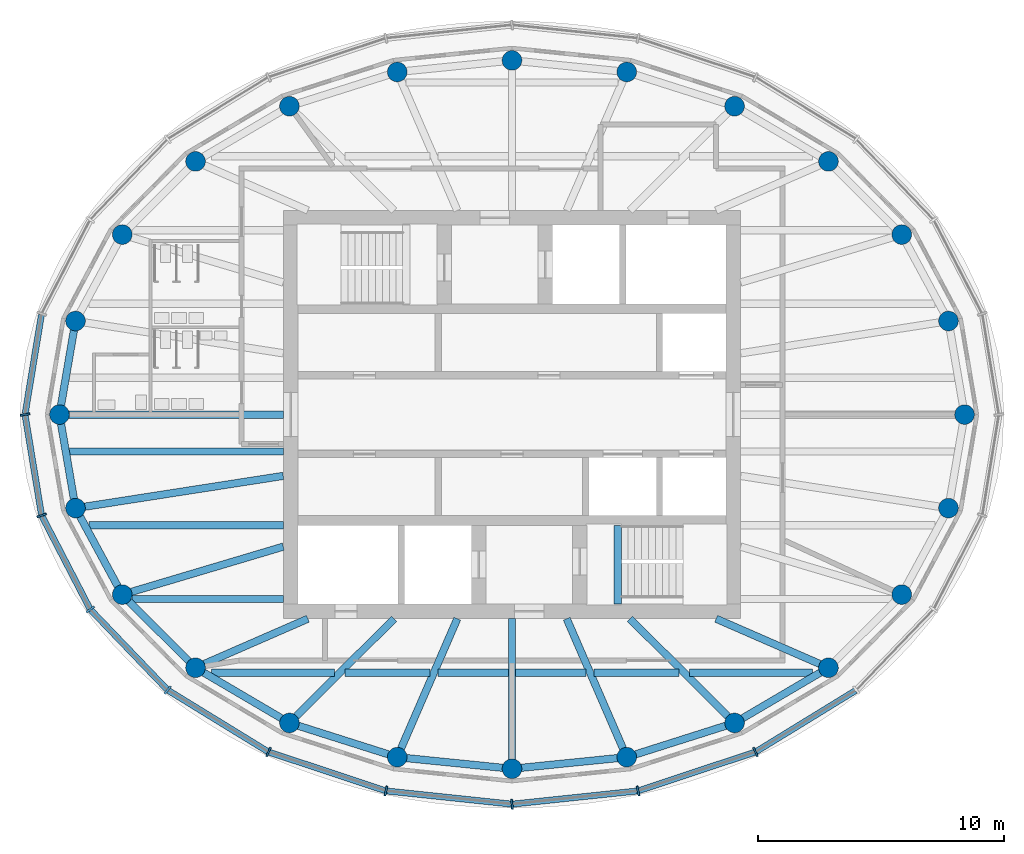
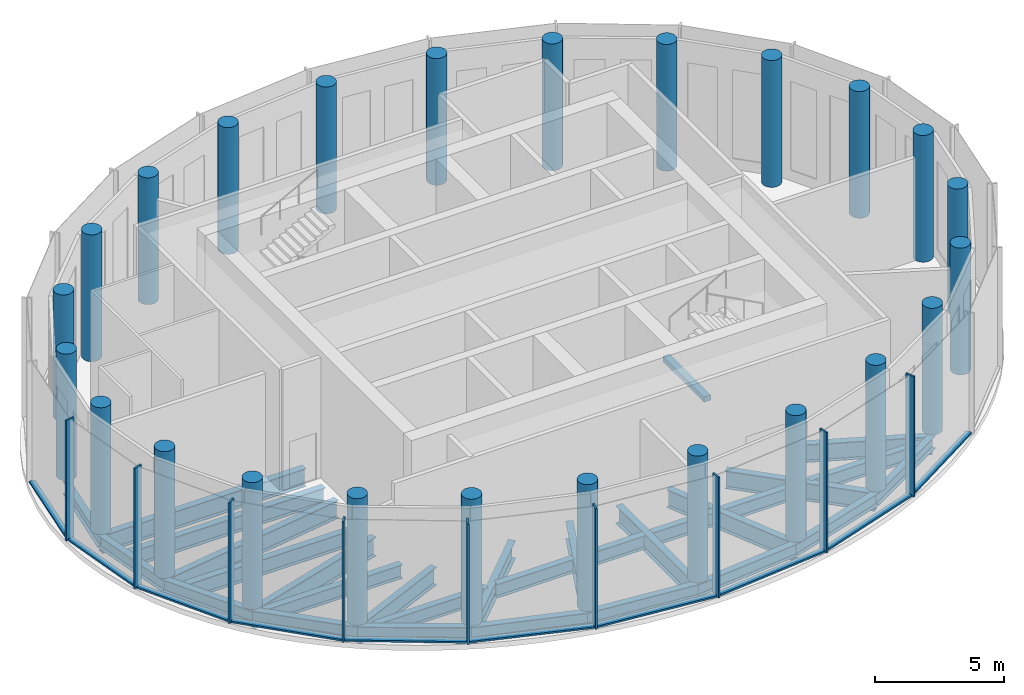
# One storey, part 1 of 11: 30 beams, 24 columns, 19 members, 3 elements without a shape of their own.
"""IFC4 building model written with IfcOpenShell, lengths in metres."""

import ifcopenshell
import ifcopenshell.guid

model = None  # the IFC model being written
_history = None  # IfcOwnerHistory: only IFC2X3 demands one
_inside = {}  # id of a spatial element -> (the spatial element, [elements in it])
_under = {}  # id of a project, library or spatial element -> (it, [spatial elements below it])
_declared = {}  # id of a project -> (the project, [libraries it declares])
_typed = {}  # id of a type object -> (the type object, [elements of that type])
_made_of = {}  # id of a material, layer set ... -> (it, [elements and type objects made of it])


def new_model(schema):
    """Start an empty IFC model of exactly this schema.

    Asked for "IFC4X3", IfcOpenShell would pick the latest addendum, in which some entities
    have other attributes; the version numbers below select the first issue.
    IFC2X3 requires an IfcOwnerHistory on every rooted entity: one is made here for all.
    """
    global model, _history
    if schema == "IFC4X3":
        model = ifcopenshell.file(schema_version=(4, 3, 0, 0))
    else:
        model = ifcopenshell.file(schema=schema)
    _inside.clear()
    _under.clear()
    _declared.clear()
    _typed.clear()
    _made_of.clear()
    _history = None
    if model.schema == "IFC2X3":
        org = make("IfcOrganization", Name="unknown")
        user = make(
            "IfcPersonAndOrganization",
            ThePerson=make("IfcPerson", FamilyName="unknown"),
            TheOrganization=org,
        )
        app = make(
            "IfcApplication",
            ApplicationDeveloper=org,
            Version="unknown",
            ApplicationFullName="unknown",
            ApplicationIdentifier="unknown",
        )
        _history = make(
            "IfcOwnerHistory",
            OwningUser=user,
            OwningApplication=app,
            ChangeAction="ADDED",
            CreationDate=0,
        )
    return model


def make(cls, **values):
    """One entity of the class cls with the attributes given. An attribute that is None is left unset."""
    return model.create_entity(
        cls, **{name: value for name, value in values.items() if value is not None}
    )


def rooted(cls, **values):
    """An entity with a GlobalId (a new one), such as an element, a storey or a relation."""
    return make(cls, GlobalId=ifcopenshell.guid.new(), OwnerHistory=_history, **values)


def si_unit(unit_type, name, prefix=None):
    """IfcSIUnit, for example si_unit("LENGTHUNIT", "METRE", prefix="MILLI")."""
    return make("IfcSIUnit", UnitType=unit_type, Prefix=prefix, Name=name)


def assignment(units):
    """IfcUnitAssignment: the units of a project."""
    return None if units is None else make("IfcUnitAssignment", Units=units)


def point(xyz):
    """IfcCartesianPoint."""
    return None if xyz is None else make("IfcCartesianPoint", Coordinates=xyz)


def direction(xyz):
    """IfcDirection."""
    return None if xyz is None else make("IfcDirection", DirectionRatios=xyz)


def frame(location, z_axis=None, x_axis=None):
    """IfcAxis2Placement3D, a coordinate frame: its origin and axes. An axis left out is left unset."""
    return make(
        "IfcAxis2Placement3D",
        Location=point(location),
        Axis=direction(z_axis),
        RefDirection=direction(x_axis),
    )


def frame_2d(location, x_axis=None):
    """IfcAxis2Placement2D, a coordinate frame in the plane: its origin and x axis."""
    return make(
        "IfcAxis2Placement2D", Location=point(location), RefDirection=direction(x_axis)
    )


def origin():
    """The frame at (0, 0, 0) with its axes left unset."""
    return frame((0.0, 0.0, 0.0))


def origin_2d():
    """The frame at (0, 0) in the plane with its x axis left unset."""
    return frame_2d((0.0, 0.0))


def place(relative_to, where):
    """IfcLocalPlacement: puts the frame where relative to a parent placement (None: the world)."""
    return make(
        "IfcLocalPlacement", PlacementRelTo=relative_to, RelativePlacement=where
    )


def context(
    kind, dimensions, precision=None, world=None, true_north=None, identifier=None
):
    """IfcGeometricRepresentationContext, for example the 3D "Model" context."""
    return make(
        "IfcGeometricRepresentationContext",
        ContextIdentifier=identifier,
        ContextType=kind,
        CoordinateSpaceDimension=dimensions,
        Precision=precision,
        WorldCoordinateSystem=world,
        TrueNorth=true_north,
    )


def subcontext(parent, identifier, kind, view, scale=None):
    """IfcGeometricRepresentationSubContext, for example "Body" below "Model"."""
    return make(
        "IfcGeometricRepresentationSubContext",
        ContextIdentifier=identifier,
        ContextType=kind,
        ParentContext=parent,
        TargetScale=scale,
        TargetView=view,
    )


def project(units=None, contexts=None):
    """IfcProject with its units and contexts."""
    return rooted(
        "IfcProject",
        Name="project",
        RepresentationContexts=contexts,
        UnitsInContext=assignment(units),
    )


def spatial(cls, under=None, at=None, **own):
    """A site, building, storey or space (cls), placed at a placement, below another one or the project."""
    s = rooted(cls, ObjectPlacement=at, **own)
    if under is not None:
        _under.setdefault(under.id(), (under, []))[1].append(s)
    return s


def profile(cls, at=None, kind="AREA", **sizes):
    """A parametric profile (cls). Its sizes go by their IFC names, for example OverallWidth=200.0."""
    return make(cls, ProfileType=kind, Position=at, **sizes)


def rectangle(**sizes):
    """IfcRectangleProfileDef."""
    return profile("IfcRectangleProfileDef", **sizes)


def circle(**sizes):
    """IfcCircleProfileDef."""
    return profile("IfcCircleProfileDef", **sizes)


def i_section(**sizes):
    """IfcIShapeProfileDef."""
    return profile("IfcIShapeProfileDef", **sizes)


def extrude(swept, where, along, depth):
    """IfcExtrudedAreaSolid: the profile swept, set in the frame where, extruded along a direction by depth."""
    return make(
        "IfcExtrudedAreaSolid",
        SweptArea=swept,
        Position=where,
        ExtrudedDirection=direction(along),
        Depth=depth,
    )


def shape(context_of_items, identifier, shape_type, items):
    """IfcShapeRepresentation: the items that make up one representation, for example the "Body"."""
    return make(
        "IfcShapeRepresentation",
        ContextOfItems=context_of_items,
        RepresentationIdentifier=identifier,
        RepresentationType=shape_type,
        Items=items,
    )


def material(Name=None, Category=None):
    """IfcMaterial."""
    return make("IfcMaterial", Name=Name, Category=Category)


def material_profile(
    of_material, cross_section, Name=None, Category=None, Priority=None
):
    """IfcMaterialProfile: a cross section and its material."""
    return make(
        "IfcMaterialProfile",
        Name=Name,
        Material=of_material,
        Profile=cross_section,
        Priority=Priority,
        Category=Category,
    )


def profile_set(profiles, Name=None, composite=None):
    """IfcMaterialProfileSet."""
    return make(
        "IfcMaterialProfileSet",
        Name=Name,
        MaterialProfiles=profiles,
        CompositeProfile=composite,
    )


def made_of(thing, what):
    """Note that an element or type object is made of a material, layer set ...; save() writes the relation."""
    if what is not None:
        _made_of.setdefault(what.id(), (what, []))[1].append(thing)
    return thing


def type_object(cls, material=None, **own):
    """A type object (cls), such as IfcWallType, which elements share."""
    return made_of(rooted(cls, **own), material)


def element(
    cls,
    number,
    at=None,
    inside=None,
    cuts=None,
    type_object=None,
    material=None,
    context=None,
    identifier="Body",
    shape_type=None,
    held_by="IfcProductDefinitionShape",
    body=None,
    shapes=None,
    **own,
):
    """One element of the class cls, such as IfcWall. Its Tag is "e" and its number.

    at: its placement. inside: the storey or other place that contains it. cuts: it is an
    opening in that element (IfcRelVoidsElement). A single representation is given by context,
    identifier, shape_type and body (its items); several are given by shapes. held_by: the class
    of the entity that holds the representations. save() writes the other relations.
    """
    e = rooted(cls, Tag="e%d" % number, ObjectPlacement=at, **own)
    if body is not None:
        shapes = [shape(context, identifier, shape_type, body)]
    if shapes is not None:
        e.Representation = make(held_by, Representations=shapes)
    if inside is not None:
        _inside.setdefault(inside.id(), (inside, []))[1].append(e)
    if cuts is not None:
        rooted(
            "IfcRelVoidsElement", RelatingBuildingElement=cuts, RelatedOpeningElement=e
        )
    if type_object is not None:
        _typed.setdefault(type_object.id(), (type_object, []))[1].append(e)
    return made_of(e, material)


def aggregate(whole, parts):
    """IfcRelAggregates: a whole, such as a stair, and the parts it consists of."""
    return rooted("IfcRelAggregates", RelatingObject=whole, RelatedObjects=parts)


def save(model, path):
    """Write the relations noted so far, then the file.

    IfcRelAggregates (storeys below a building ...), IfcRelContainedInSpatialStructure (elements
    in a storey), IfcRelDefinesByType, IfcRelAssociatesMaterial and IfcRelDeclares: one each for
    every whole, place, type object, material and project.
    """
    for whole, parts in _under.values():
        aggregate(whole, parts)
    for where, things in _inside.values():
        rooted(
            "IfcRelContainedInSpatialStructure",
            RelatedElements=things,
            RelatingStructure=where,
        )
    for kind, things in _typed.values():
        rooted("IfcRelDefinesByType", RelatedObjects=things, RelatingType=kind)
    for what, things in _made_of.values():
        rooted("IfcRelAssociatesMaterial", RelatedObjects=things, RelatingMaterial=what)
    for by, libraries in _declared.values():
        rooted("IfcRelDeclares", RelatingContext=by, RelatedDefinitions=libraries)
    model.write(path)


model = new_model("IFC4")

# Units and contexts
model_context = context("Model", 3, precision=1e-05, world=origin(), true_north=direction((0.0, 1.0)))
body_context = subcontext(model_context, "Body", "Model", "MODEL_VIEW")
ifc_project = project(units=[si_unit("LENGTHUNIT", "METRE"), si_unit("AREAUNIT", "SQUARE_METRE"), si_unit("VOLUMEUNIT", "CUBIC_METRE"), si_unit("PLANEANGLEUNIT", "RADIAN"), si_unit("MASSUNIT", "GRAM", prefix="KILO")], contexts=[model_context])

# Site, building, storey
site_placement = place(None, origin())
site = spatial("IfcSite", under=ifc_project, at=site_placement, CompositionType="ELEMENT")
building_placement = place(site_placement, origin())
building = spatial("IfcBuilding", under=site, at=building_placement, Name="Hankou Lantern Tower", CompositionType="ELEMENT")
storey_placement = place(building_placement, frame((0.0, 0.0, 242.699951171875)))
storey = spatial("IfcBuildingStorey", under=building, at=storey_placement, Name="L65", CompositionType="ELEMENT", Elevation=242.699951171875)

# Columns
ifc_material_1 = material(Name="Concrete C50", Category="concrete")
ifc_material_profile_1 = material_profile(ifc_material_1, circle(Radius=0.39990234375, at=origin_2d()), Name="RC D800")
ifc_profile_set_1 = profile_set([ifc_material_profile_1], Name="Concrete C50")
column_type = type_object("IfcColumnType", Name="TC6 PERIMETER COLUMN RC D800", PredefinedType="COLUMN", material=ifc_profile_set_1)
for number, where, z_axis, x_axis, name in (
    (1, (18.39990234375, 0.0, 0.0), (0.0, 0.0, 1.0), (1.0, 0.0, 0.0), "Column R01 L65"),
    (2, (17.746337890625, 3.80419921875, 0.0), (0.0, 0.0, 1.0), (1.0, 0.0, 0.0), "Column R02 L65"),
    (3, (15.84619140625, 7.319091796875, 0.0), (0.0, 0.0, 1.0), (1.0, 0.0, 0.0), "Column R03 L65"),
    (4, (12.866943359375, 10.293701171875, 0.0), (0.0, 0.0, 1.0), (1.0, 0.0, 0.0), "Column R04 L65"),
    (5, (9.048828125, 12.538330078125, 0.0), (0.0, 0.0, 1.0), (1.0, 0.0, 0.0), "Column R05 L65"),
    (6, (4.66552734375, 13.929443359375, 0.0), (0.0, 0.0, 1.0), (1.0, 0.0, 0.0), "Column R06 L65"),
    (7, (0.0, 14.39990234375, 0.0), (0.0, 0.0, 1.0), (1.0, 0.0, 0.0), "Column R07 L65"),
    (8, (-4.66552734375, 13.929443359375, 0.0), (0.0, 0.0, 1.0), (1.0, 0.0, 0.0), "Column R08 L65"),
    (9, (-9.048828125, 12.538330078125, 0.0), (0.0, 0.0, 1.0), (1.0, 0.0, 0.0), "Column R09 L65"),
    (10, (-12.866943359375, 10.293701171875, 0.0), (0.0, 0.0, 1.0), (1.0, 0.0, 0.0), "Column R10 L65"),
    (11, (-15.84619140625, 7.319091796875, 0.0), (0.0, 0.0, 1.0), (1.0, 0.0, 0.0), "Column R11 L65"),
    (12, (-17.746337890625, 3.80419921875, 0.0), (0.0, 0.0, 1.0), (1.0, 0.0, 0.0), "Column R12 L65"),
    (13, (-18.39990234375, 0.0, 0.0), (0.0, 0.0, 1.0), (1.0, 0.0, 0.0), "Column R13 L65"),
    (14, (-17.746337890625, -3.80419921875, 0.0), (0.0, 0.0, 1.0), (1.0, 0.0, 0.0), "Column R14 L65"),
    (15, (-15.84619140625, -7.319091796875, 0.0), (0.0, 0.0, 1.0), (1.0, 0.0, 0.0), "Column R15 L65"),
    (16, (-12.866943359375, -10.293701171875, 0.0), (0.0, 0.0, 1.0), (1.0, 0.0, 0.0), "Column R16 L65"),
    (17, (-9.048828125, -12.538330078125, 0.0), (0.0, 0.0, 1.0), (1.0, 0.0, 0.0), "Column R17 L65"),
    (18, (-4.66552734375, -13.929443359375, 0.0), (0.0, 0.0, 1.0), (1.0, 0.0, 0.0), "Column R18 L65"),
    (19, (0.0, -14.39990234375, 0.0), (0.0, 0.0, 1.0), (1.0, 0.0, 0.0), "Column R19 L65"),
    (20, (4.66552734375, -13.929443359375, 0.0), (0.0, 0.0, 1.0), (1.0, 0.0, 0.0), "Column R20 L65"),
    (21, (9.048828125, -12.538330078125, 0.0), (0.0, 0.0, 1.0), (1.0, 0.0, 0.0), "Column R21 L65"),
    (22, (12.866943359375, -10.293701171875, 0.0), (0.0, 0.0, 1.0), (1.0, 0.0, 0.0), "Column R22 L65"),
    (23, (15.84619140625, -7.319091796875, 0.0), (0.0, 0.0, 1.0), (1.0, 0.0, 0.0), "Column R23 L65"),
    (24, (17.746337890625, -3.80419921875, 0.0), (0.0, 0.0, 1.0), (1.0, 0.0, 0.0), "Column R24 L65"),
):
    element("IfcColumn", number, at=place(storey_placement, frame(where, z_axis=z_axis, x_axis=x_axis)), inside=storey, type_object=column_type, Name=name, PredefinedType="COLUMN", context=body_context, shape_type="SweptSolid", body=[
        extrude(circle(Radius=0.39990234375, at=origin_2d()), origin(), (0.0, 0.0, 1.0), 6.0),
    ])

# Beams
ifc_material_2 = material(Name="Steel Q355B", Category="steel")
ifc_material_profile_2 = material_profile(ifc_material_2, i_section(OverallWidth=0.300048828125, OverallDepth=0.587890625, WebThickness=0.011962890625, FlangeThickness=0.02001953125, FilletRadius=0.01806640625, at=origin_2d()), Name="HM588x300x12x20")
ifc_profile_set_2 = profile_set([ifc_material_profile_2], Name="Steel Q355B")
beam_type_1 = type_object("IfcBeamType", Name="EB16 RING BEAM HM588x300x12x20", PredefinedType="SPANDREL", material=ifc_profile_set_2)
for number, where, z_axis, x_axis, name in (
    (25, (-17.746337890625, 3.80419921875, -0.5439453125), (-0.169320180804, -0.98556109723, 0.0), (0.98556109723, -0.169320180804, 0.0), "Ring beam R12-R13 L65"),
    (26, (-18.39990234375, 0.0, -0.5439453125), (0.169320180804, -0.98556109723, 0.0), (0.98556109723, 0.169320180804, 0.0), "Ring beam R13-R14 L65"),
):
    element("IfcBeam", number, at=place(storey_placement, frame(where, z_axis=z_axis, x_axis=x_axis)), inside=storey, type_object=beam_type_1, Name=name, PredefinedType="SPANDREL", context=body_context, shape_type="SweptSolid", body=[
        extrude(i_section(OverallWidth=0.300048828125, OverallDepth=0.587890625, WebThickness=0.011962890625, FlangeThickness=0.02001953125, FilletRadius=0.01806640625, at=origin_2d()), origin(), (0.0, 0.0, 1.0), 3.85986328125),
    ])
beam_1_placement = place(storey_placement, frame((-17.746337890625, -3.80419921875, -0.5439453125), z_axis=(0.475556651725, -0.879685097634, 0.0), x_axis=(0.879685097634, 0.475556651725, 0.0)))
element("IfcBeam", 27, at=beam_1_placement, inside=storey, type_object=beam_type_1, Name="Ring beam R14-R15 L65", PredefinedType="SPANDREL", context=body_context, shape_type="SweptSolid", body=[
    extrude(i_section(OverallWidth=0.300048828125, OverallDepth=0.587890625, WebThickness=0.011962890625, FlangeThickness=0.02001953125, FilletRadius=0.01806640625, at=origin_2d()), origin(), (0.0, 0.0, 1.0), 3.99560546875),
])
beam_2_placement = place(storey_placement, frame((-15.84619140625, -7.319091796875, -0.5439453125), z_axis=(0.707657475865, -0.706555657293, 0.0), x_axis=(0.706555657293, 0.707657475865, 0.0)))
element("IfcBeam", 28, at=beam_2_placement, inside=storey, type_object=beam_type_1, Name="Ring beam R15-R16 L65", PredefinedType="SPANDREL", context=body_context, shape_type="SweptSolid", body=[
    extrude(i_section(OverallWidth=0.300048828125, OverallDepth=0.587890625, WebThickness=0.011962890625, FlangeThickness=0.02001953125, FilletRadius=0.01806640625, at=origin_2d()), origin(), (0.0, 0.0, 1.0), 4.2099609375),
])
beam_3_placement = place(storey_placement, frame((-12.866943359375, -10.293701171875, -0.5439453125), z_axis=(0.862064554074, -0.506798485207, 0.0), x_axis=(0.506798485207, 0.862064554074, 0.0)))
element("IfcBeam", 29, at=beam_3_placement, inside=storey, type_object=beam_type_1, Name="Ring beam R16-R17 L65", PredefinedType="SPANDREL", context=body_context, shape_type="SweptSolid", body=[
    extrude(i_section(OverallWidth=0.300048828125, OverallDepth=0.587890625, WebThickness=0.011962890625, FlangeThickness=0.02001953125, FilletRadius=0.01806640625, at=origin_2d()), origin(), (0.0, 0.0, 1.0), 4.428955078125),
])
beam_4_placement = place(storey_placement, frame((-9.048828125, -12.538330078125, -0.5439453125), z_axis=(0.953150024165, -0.302497985836, 0.0), x_axis=(0.302497985836, 0.953150024165, 0.0)))
element("IfcBeam", 30, at=beam_4_placement, inside=storey, type_object=beam_type_1, Name="Ring beam R17-R18 L65", PredefinedType="SPANDREL", context=body_context, shape_type="SweptSolid", body=[
    extrude(i_section(OverallWidth=0.300048828125, OverallDepth=0.587890625, WebThickness=0.011962890625, FlangeThickness=0.02001953125, FilletRadius=0.01806640625, at=origin_2d()), origin(), (0.0, 0.0, 1.0), 4.5986328125),
])
for number, where, z_axis, x_axis, name in (
    (31, (-4.66552734375, -13.929443359375, -0.5439453125), (0.994954369815, -0.100328470467, 0.0), (0.100328470467, 0.994954369815, 0.0), "Ring beam R18-R19 L65"),
    (32, (0.0, -14.39990234375, -0.5439453125), (0.994954369815, 0.100328470467, 0.0), (-0.100328470467, 0.994954369815, 0.0), "Ring beam R19-R20 L65"),
):
    element("IfcBeam", number, at=place(storey_placement, frame(where, z_axis=z_axis, x_axis=x_axis)), inside=storey, type_object=beam_type_1, Name=name, PredefinedType="SPANDREL", context=body_context, shape_type="SweptSolid", body=[
        extrude(i_section(OverallWidth=0.300048828125, OverallDepth=0.587890625, WebThickness=0.011962890625, FlangeThickness=0.02001953125, FilletRadius=0.01806640625, at=origin_2d()), origin(), (0.0, 0.0, 1.0), 4.689208984375),
    ])
beam_5_placement = place(storey_placement, frame((4.66552734375, -13.929443359375, -0.5439453125), z_axis=(0.953150024165, 0.302497985836, 0.0), x_axis=(-0.302497985836, 0.953150024165, 0.0)))
element("IfcBeam", 33, at=beam_5_placement, inside=storey, type_object=beam_type_1, Name="Ring beam R20-R21 L65", PredefinedType="SPANDREL", context=body_context, shape_type="SweptSolid", body=[
    extrude(i_section(OverallWidth=0.300048828125, OverallDepth=0.587890625, WebThickness=0.011962890625, FlangeThickness=0.02001953125, FilletRadius=0.01806640625, at=origin_2d()), origin(), (0.0, 0.0, 1.0), 4.5986328125),
])
beam_6_placement = place(storey_placement, frame((9.048828125, -12.538330078125, -0.5439453125), z_axis=(0.862064554074, 0.506798485207, 0.0), x_axis=(-0.506798485207, 0.862064554074, 0.0)))
element("IfcBeam", 34, at=beam_6_placement, inside=storey, type_object=beam_type_1, Name="Ring beam R21-R22 L65", PredefinedType="SPANDREL", context=body_context, shape_type="SweptSolid", body=[
    extrude(i_section(OverallWidth=0.300048828125, OverallDepth=0.587890625, WebThickness=0.011962890625, FlangeThickness=0.02001953125, FilletRadius=0.01806640625, at=origin_2d()), origin(), (0.0, 0.0, 1.0), 4.428955078125),
])
ifc_material_3 = material(Name="Concrete C40", Category="concrete")
ifc_material_profile_3 = material_profile(ifc_material_3, rectangle(XDim=0.300048828125, YDim=0.25, at=origin_2d()), Name="RC 300x250")
ifc_profile_set_3 = profile_set([ifc_material_profile_3], Name="Concrete C40")
beam_type_2 = type_object("IfcBeamType", Name="LB1 STAIR LANDING BEAM RC 300x250", PredefinedType="BEAM", material=ifc_profile_set_3)
beam_7_placement = place(storey_placement, frame((4.300048828125, -4.5, 2.875), z_axis=(0.0, -1.0, 0.0), x_axis=(1.0, 0.0, 0.0)))
element("IfcBeam", 35, at=beam_7_placement, inside=storey, type_object=beam_type_2, Name="Stair STB landing beam L65", PredefinedType="BEAM", context=body_context, shape_type="SweptSolid", body=[
    extrude(rectangle(XDim=0.300048828125, YDim=0.25, at=origin_2d()), origin(), (0.0, 0.0, 1.0), 3.199951171875),
])

# Curtain wall, members
ifc_material_4 = material(Name="Glass, dark grey tinted laminated", Category="glass")
curtain_wall_type = type_object("IfcCurtainWallType", Name="CWE OUTER SKIN CROWN", PredefinedType="USERDEFINED", material=ifc_material_4)
curtain_wall_1_placement = place(storey_placement, origin())
curtain_wall_1 = element("IfcCurtainWall", 36, at=curtain_wall_1_placement, inside=storey, type_object=curtain_wall_type, Name="CWE L65 OS3", ObjectType="OUTER SKIN CROWN", PredefinedType="USERDEFINED")
ifc_material_5 = material(Name="Aluminium, black anodised", Category="aluminium")
ifc_material_profile_4 = material_profile(ifc_material_5, rectangle(XDim=0.080078125, YDim=0.39990234375, at=origin_2d()), Name="MU3 80X400")
ifc_profile_set_4 = profile_set([ifc_material_profile_4], Name="Aluminium, black anodised")
member_type_1 = type_object("IfcMemberType", Name="MU3 OUTER SKIN TALL MULLION 80X400", PredefinedType="MULLION", material=ifc_profile_set_4)
member_1_placement = place(storey_placement, frame((-19.800048828125, 0.0, 0.0), z_axis=(0.0, 0.0, 1.0), x_axis=(0.162381515188, -0.986728049427, 0.0)))
member_1 = element("IfcMember", 37, at=member_1_placement, type_object=member_type_1, Name="CWE mullion 1", PredefinedType="MULLION", context=body_context, shape_type="SweptSolid", body=[
    extrude(rectangle(XDim=0.080078125, YDim=0.39990234375, at=origin_2d()), origin(), (0.0, 0.0, 1.0), 5.699951171875),
])
member_2_placement = place(storey_placement, frame((-19.125244140625, -4.099609375, 0.0), z_axis=(0.0, 0.0, 1.0), x_axis=(0.317595577365, -0.94822626479, 0.0)))
member_2 = element("IfcMember", 38, at=member_2_placement, type_object=member_type_1, Name="CWE mullion 2", PredefinedType="MULLION", context=body_context, shape_type="SweptSolid", body=[
    extrude(rectangle(XDim=0.080078125, YDim=0.39990234375, at=origin_2d()), origin(), (0.0, 0.0, 1.0), 5.699951171875),
])
member_3_placement = place(storey_placement, frame((-17.147216796875, -7.919921875, 0.0), z_axis=(0.0, 0.0, 1.0), x_axis=(0.585205735974, -0.810884854084, 0.0)))
member_3 = element("IfcMember", 39, at=member_3_placement, type_object=member_type_1, Name="CWE mullion 3", PredefinedType="MULLION", context=body_context, shape_type="SweptSolid", body=[
    extrude(rectangle(XDim=0.080078125, YDim=0.39990234375, at=origin_2d()), origin(), (0.0, 0.0, 1.0), 5.699951171875),
])
member_4_placement = place(storey_placement, frame((-14.000732421875, -11.20068359375, 0.0), z_axis=(0.0, 0.0, 1.0), x_axis=(0.780868809444, -0.624695047553, 0.0)))
member_4 = element("IfcMember", 40, at=member_4_placement, type_object=member_type_1, Name="CWE mullion 4", PredefinedType="MULLION", context=body_context, shape_type="SweptSolid", body=[
    extrude(rectangle(XDim=0.080078125, YDim=0.39990234375, at=origin_2d()), origin(), (0.0, 0.0, 1.0), 5.699951171875),
])
member_5_placement = place(storey_placement, frame((-9.89990234375, -13.7177734375, 0.0), z_axis=(0.0, 0.0, 1.0), x_axis=(0.907841299004, -0.419313934686, 0.0)))
member_5 = element("IfcMember", 41, at=member_5_placement, type_object=member_type_1, Name="CWE mullion 5", PredefinedType="MULLION", context=body_context, shape_type="SweptSolid", body=[
    extrude(rectangle(XDim=0.080078125, YDim=0.39990234375, at=origin_2d()), origin(), (0.0, 0.0, 1.0), 5.699951171875),
])
member_6_placement = place(storey_placement, frame((-5.12451171875, -15.30029296875, 0.0), z_axis=(0.0, 0.0, 1.0), x_axis=(0.977787659625, -0.209597931016, 0.0)))
member_6 = element("IfcMember", 42, at=member_6_placement, type_object=member_type_1, Name="CWE mullion 6", PredefinedType="MULLION", context=body_context, shape_type="SweptSolid", body=[
    extrude(rectangle(XDim=0.080078125, YDim=0.39990234375, at=origin_2d()), origin(), (0.0, 0.0, 1.0), 5.699951171875),
])

curtain_wall_2_placement = place(storey_placement, origin())
curtain_wall_2 = element("IfcCurtainWall", 43, at=curtain_wall_2_placement, inside=storey, type_object=curtain_wall_type, Name="CWE L65 OS4", ObjectType="OUTER SKIN CROWN", PredefinedType="USERDEFINED")
member_7_placement = place(storey_placement, frame((0.0, -15.840087890625, 0.0), z_axis=(0.0, 0.0, 1.0), x_axis=(0.994499359107, 0.104742659579, 0.0)))
member_7 = element("IfcMember", 44, at=member_7_placement, type_object=member_type_1, Name="CWE mullion 1", PredefinedType="MULLION", context=body_context, shape_type="SweptSolid", body=[
    extrude(rectangle(XDim=0.080078125, YDim=0.39990234375, at=origin_2d()), origin(), (0.0, 0.0, 1.0), 5.699951171875),
])
member_8_placement = place(storey_placement, frame((5.12451171875, -15.30029296875, 0.0), z_axis=(0.0, 0.0, 1.0), x_axis=(0.977787659625, 0.209597931016, 0.0)))
member_8 = element("IfcMember", 45, at=member_8_placement, type_object=member_type_1, Name="CWE mullion 2", PredefinedType="MULLION", context=body_context, shape_type="SweptSolid", body=[
    extrude(rectangle(XDim=0.080078125, YDim=0.39990234375, at=origin_2d()), origin(), (0.0, 0.0, 1.0), 5.699951171875),
])
member_9_placement = place(storey_placement, frame((9.89990234375, -13.7177734375, 0.0), z_axis=(0.0, 0.0, 1.0), x_axis=(0.907841299004, 0.419313934686, 0.0)))
member_9 = element("IfcMember", 46, at=member_9_placement, type_object=member_type_1, Name="CWE mullion 3", PredefinedType="MULLION", context=body_context, shape_type="SweptSolid", body=[
    extrude(rectangle(XDim=0.080078125, YDim=0.39990234375, at=origin_2d()), origin(), (0.0, 0.0, 1.0), 5.699951171875),
])

# Beams
ifc_material_6 = material(Name="Steel Q355B", Category="steel")
ifc_material_profile_5 = material_profile(ifc_material_6, i_section(OverallWidth=0.300048828125, OverallDepth=0.85009765625, WebThickness=0.01611328125, FlangeThickness=0.027099609375, FilletRadius=0.01806640625, at=origin_2d()), Name="HN850x300x16x27")
ifc_profile_set_5 = profile_set([ifc_material_profile_5], Name="Steel Q355B")
beam_type_3 = type_object("IfcBeamType", Name="RB12 RADIAL BEAM HN850x300x16x27", PredefinedType="BEAM", material=ifc_profile_set_5)
beam_8_placement = place(storey_placement, frame((-9.300048828125, 0.0, -0.675048828125), z_axis=(-1.0, 0.0, 0.0), x_axis=(0.0, -1.0, 0.0)))
element("IfcBeam", 47, at=beam_8_placement, inside=storey, type_object=beam_type_3, Name="Radial beam R13 L65", PredefinedType="BEAM", context=body_context, shape_type="SweptSolid", body=[
    extrude(i_section(OverallWidth=0.300048828125, OverallDepth=0.85009765625, WebThickness=0.01611328125, FlangeThickness=0.027099609375, FilletRadius=0.01806640625, at=origin_2d()), origin(), (0.0, 0.0, 1.0), 9.099853515625),
])
beam_9_placement = place(storey_placement, frame((-9.300048828125, -2.491943359375, -0.675048828125), z_axis=(-0.988145083079, -0.153522945472, 0.0), x_axis=(0.153522945472, -0.988145083079, 0.0)))
element("IfcBeam", 48, at=beam_9_placement, inside=storey, type_object=beam_type_3, Name="Radial beam R14 L65", PredefinedType="BEAM", context=body_context, shape_type="SweptSolid", body=[
    extrude(i_section(OverallWidth=0.300048828125, OverallDepth=0.85009765625, WebThickness=0.01611328125, FlangeThickness=0.027099609375, FilletRadius=0.01806640625, at=origin_2d()), origin(), (0.0, 0.0, 1.0), 8.547607421875),
])
beam_10_placement = place(storey_placement, frame((-8.300048828125, -8.300048828125, -0.675048828125), z_axis=(-0.91647863232, -0.400083636882, 0.0), x_axis=(0.400083636882, -0.91647863232, 0.0)))
element("IfcBeam", 49, at=beam_10_placement, inside=storey, type_object=beam_type_3, Name="Radial beam R16 L65", PredefinedType="BEAM", context=body_context, shape_type="SweptSolid", body=[
    extrude(i_section(OverallWidth=0.300048828125, OverallDepth=0.85009765625, WebThickness=0.01611328125, FlangeThickness=0.027099609375, FilletRadius=0.01806640625, at=origin_2d()), origin(), (0.0, 0.0, 1.0), 4.983154296875),
])
beam_11_placement = place(storey_placement, frame((-4.7919921875, -8.300048828125, -0.675048828125), z_axis=(-0.708649524574, -0.705560664522, 0.0), x_axis=(0.705560664522, -0.708649524574, 0.0)))
element("IfcBeam", 50, at=beam_11_placement, inside=storey, type_object=beam_type_3, Name="Radial beam R17 L65", PredefinedType="BEAM", context=body_context, shape_type="SweptSolid", body=[
    extrude(i_section(OverallWidth=0.300048828125, OverallDepth=0.85009765625, WebThickness=0.01611328125, FlangeThickness=0.027099609375, FilletRadius=0.01806640625, at=origin_2d()), origin(), (0.0, 0.0, 1.0), 6.007080078125),
])
beam_12_placement = place(storey_placement, frame((-2.223876953125, -8.300048828125, -0.675048828125), z_axis=(-0.397915592164, -0.917422030209, 0.0), x_axis=(0.917422030209, -0.397915592164, 0.0)))
element("IfcBeam", 51, at=beam_12_placement, inside=storey, type_object=beam_type_3, Name="Radial beam R18 L65", PredefinedType="BEAM", context=body_context, shape_type="SweptSolid", body=[
    extrude(i_section(OverallWidth=0.300048828125, OverallDepth=0.85009765625, WebThickness=0.01611328125, FlangeThickness=0.027099609375, FilletRadius=0.01806640625, at=origin_2d()), origin(), (0.0, 0.0, 1.0), 6.135986328125),
])
beam_13_placement = place(storey_placement, frame((0.0, -8.300048828125, -0.675048828125), z_axis=(0.0, -1.0, 0.0), x_axis=(1.0, 0.0, 0.0)))
element("IfcBeam", 52, at=beam_13_placement, inside=storey, type_object=beam_type_3, Name="Radial beam R19 L65", PredefinedType="BEAM", context=body_context, shape_type="SweptSolid", body=[
    extrude(i_section(OverallWidth=0.300048828125, OverallDepth=0.85009765625, WebThickness=0.01611328125, FlangeThickness=0.027099609375, FilletRadius=0.01806640625, at=origin_2d()), origin(), (0.0, 0.0, 1.0), 6.099853515625),
])
beam_14_placement = place(storey_placement, frame((2.223876953125, -8.300048828125, -0.675048828125), z_axis=(0.397915592164, -0.917422030209, 0.0), x_axis=(0.917422030209, 0.397915592164, 0.0)))
element("IfcBeam", 53, at=beam_14_placement, inside=storey, type_object=beam_type_3, Name="Radial beam R20 L65", PredefinedType="BEAM", context=body_context, shape_type="SweptSolid", body=[
    extrude(i_section(OverallWidth=0.300048828125, OverallDepth=0.85009765625, WebThickness=0.01611328125, FlangeThickness=0.027099609375, FilletRadius=0.01806640625, at=origin_2d()), origin(), (0.0, 0.0, 1.0), 6.135986328125),
])
beam_15_placement = place(storey_placement, frame((4.7919921875, -8.300048828125, -0.675048828125), z_axis=(0.708649524574, -0.705560664522, 0.0), x_axis=(0.705560664522, 0.708649524574, 0.0)))
element("IfcBeam", 54, at=beam_15_placement, inside=storey, type_object=beam_type_3, Name="Radial beam R21 L65", PredefinedType="BEAM", context=body_context, shape_type="SweptSolid", body=[
    extrude(i_section(OverallWidth=0.300048828125, OverallDepth=0.85009765625, WebThickness=0.01611328125, FlangeThickness=0.027099609375, FilletRadius=0.01806640625, at=origin_2d()), origin(), (0.0, 0.0, 1.0), 6.007080078125),
])
beam_16_placement = place(storey_placement, frame((8.300048828125, -8.300048828125, -0.675048828125), z_axis=(0.91647863232, -0.400083636882, 0.0), x_axis=(0.400083636882, 0.91647863232, 0.0)))
element("IfcBeam", 55, at=beam_16_placement, inside=storey, type_object=beam_type_3, Name="Radial beam R22 L65", PredefinedType="BEAM", context=body_context, shape_type="SweptSolid", body=[
    extrude(i_section(OverallWidth=0.300048828125, OverallDepth=0.85009765625, WebThickness=0.01611328125, FlangeThickness=0.027099609375, FilletRadius=0.01806640625, at=origin_2d()), origin(), (0.0, 0.0, 1.0), 4.983154296875),
])
ifc_material_7 = material(Name="Steel Q355B", Category="steel")
ifc_material_profile_6 = material_profile(ifc_material_7, i_section(OverallWidth=0.300048828125, OverallDepth=0.89990234375, WebThickness=0.01611328125, FlangeThickness=0.028076171875, FilletRadius=0.01806640625, at=origin_2d()), Name="HN900x300x16x28")
ifc_profile_set_6 = profile_set([ifc_material_profile_6], Name="Steel Q355B")
beam_type_4 = type_object("IfcBeamType", Name="RB13 RADIAL BEAM HN900x300x16x28", PredefinedType="BEAM", material=ifc_profile_set_6)
beam_17_placement = place(storey_placement, frame((-9.300048828125, -5.369384765625, -0.699951171875), z_axis=(-0.958394006021, -0.285448645511, 0.0), x_axis=(0.285448645511, -0.958394006021, 0.0)))
element("IfcBeam", 56, at=beam_17_placement, inside=storey, type_object=beam_type_4, Name="Radial beam R15 L65", PredefinedType="BEAM", context=body_context, shape_type="SweptSolid", body=[
    extrude(i_section(OverallWidth=0.300048828125, OverallDepth=0.89990234375, WebThickness=0.01611328125, FlangeThickness=0.028076171875, FilletRadius=0.01806640625, at=origin_2d()), origin(), (0.0, 0.0, 1.0), 6.830322265625),
])
ifc_material_8 = material(Name="Steel Q355B", Category="steel")
ifc_material_profile_7 = material_profile(ifc_material_8, i_section(OverallWidth=0.300048828125, OverallDepth=0.75, WebThickness=0.012939453125, FlangeThickness=0.02392578125, FilletRadius=0.01806640625, at=origin_2d()), Name="HN750x300x13x24")
ifc_profile_set_7 = profile_set([ifc_material_profile_7], Name="Steel Q355B")
beam_type_5 = type_object("IfcBeamType", Name="SB10 SECONDARY BEAM HN750x300x13x24", PredefinedType="JOIST", material=ifc_profile_set_7)
beam_18_placement = place(storey_placement, frame((-17.199462890625, -4.5, -0.625), z_axis=(1.0, 0.0, 0.0), x_axis=(0.0, 1.0, 0.0)))
element("IfcBeam", 57, at=beam_18_placement, inside=storey, type_object=beam_type_5, Name="Floor joist J009 L65", PredefinedType="JOIST", context=body_context, shape_type="SweptSolid", body=[
    extrude(i_section(OverallWidth=0.300048828125, OverallDepth=0.75, WebThickness=0.012939453125, FlangeThickness=0.02392578125, FilletRadius=0.01806640625, at=origin_2d()), origin(), (0.0, 0.0, 1.0), 7.8994140625),
])
beam_19_placement = place(storey_placement, frame((-17.989990234375, -1.5, -0.625), z_axis=(1.0, 0.0, 0.0), x_axis=(0.0, 1.0, 0.0)))
element("IfcBeam", 58, at=beam_19_placement, inside=storey, type_object=beam_type_5, Name="Floor joist J011 L65", PredefinedType="JOIST", context=body_context, shape_type="SweptSolid", body=[
    extrude(i_section(OverallWidth=0.300048828125, OverallDepth=0.75, WebThickness=0.012939453125, FlangeThickness=0.02392578125, FilletRadius=0.01806640625, at=origin_2d()), origin(), (0.0, 0.0, 1.0), 8.68994140625),
])
ifc_material_9 = material(Name="Steel Q355B", Category="steel")
ifc_material_profile_8 = material_profile(ifc_material_9, i_section(OverallWidth=0.300048828125, OverallDepth=0.64990234375, WebThickness=0.010986328125, FlangeThickness=0.01708984375, FilletRadius=0.01806640625, at=origin_2d()), Name="HN650x300x11x17")
ifc_profile_set_8 = profile_set([ifc_material_profile_8], Name="Steel Q355B")
beam_type_6 = type_object("IfcBeamType", Name="SB8 SECONDARY BEAM HN650x300x11x17", PredefinedType="JOIST", material=ifc_profile_set_8)
beam_20_placement = place(storey_placement, frame((-12.219970703125, -10.5, -0.574951171875), z_axis=(1.0, 0.0, 0.0), x_axis=(0.0, 1.0, 0.0)))
element("IfcBeam", 59, at=beam_20_placement, inside=storey, type_object=beam_type_6, Name="Floor joist J001 L65", PredefinedType="JOIST", context=body_context, shape_type="SweptSolid", body=[
    extrude(i_section(OverallWidth=0.300048828125, OverallDepth=0.64990234375, WebThickness=0.010986328125, FlangeThickness=0.01708984375, FilletRadius=0.01806640625, at=origin_2d()), origin(), (0.0, 0.0, 1.0), 5.005859375),
])
beam_21_placement = place(storey_placement, frame((-6.7890625, -10.5, -0.574951171875), z_axis=(1.0, 0.0, 0.0), x_axis=(0.0, 1.0, 0.0)))
element("IfcBeam", 60, at=beam_21_placement, inside=storey, type_object=beam_type_6, Name="Floor joist J002 L65", PredefinedType="JOIST", context=body_context, shape_type="SweptSolid", body=[
    extrude(i_section(OverallWidth=0.300048828125, OverallDepth=0.64990234375, WebThickness=0.010986328125, FlangeThickness=0.01708984375, FilletRadius=0.01806640625, at=origin_2d()), origin(), (0.0, 0.0, 1.0), 3.447509765625),
])
for number, where, z_axis, x_axis, name in (
    (61, (-3.0146484375, -10.5, -0.574951171875), (1.0, 0.0, 0.0), (0.0, 1.0, 0.0), "Floor joist J003 L65"),
    (62, (0.14990234375, -10.5, -0.574951171875), (1.0, 0.0, 0.0), (0.0, 1.0, 0.0), "Floor joist J004 L65"),
):
    element("IfcBeam", number, at=place(storey_placement, frame(where, z_axis=z_axis, x_axis=x_axis)), inside=storey, type_object=beam_type_6, Name=name, PredefinedType="JOIST", context=body_context, shape_type="SweptSolid", body=[
        extrude(i_section(OverallWidth=0.300048828125, OverallDepth=0.64990234375, WebThickness=0.010986328125, FlangeThickness=0.01708984375, FilletRadius=0.01806640625, at=origin_2d()), origin(), (0.0, 0.0, 1.0), 2.86474609375),
    ])
beam_22_placement = place(storey_placement, frame((3.341552734375, -10.5, -0.574951171875), z_axis=(1.0, 0.0, 0.0), x_axis=(0.0, 1.0, 0.0)))
element("IfcBeam", 63, at=beam_22_placement, inside=storey, type_object=beam_type_6, Name="Floor joist J005 L65", PredefinedType="JOIST", context=body_context, shape_type="SweptSolid", body=[
    extrude(i_section(OverallWidth=0.300048828125, OverallDepth=0.64990234375, WebThickness=0.010986328125, FlangeThickness=0.01708984375, FilletRadius=0.01806640625, at=origin_2d()), origin(), (0.0, 0.0, 1.0), 3.447509765625),
])
beam_23_placement = place(storey_placement, frame((7.214111328125, -10.5, -0.574951171875), z_axis=(1.0, 0.0, 0.0), x_axis=(0.0, 1.0, 0.0)))
element("IfcBeam", 64, at=beam_23_placement, inside=storey, type_object=beam_type_6, Name="Floor joist J006 L65", PredefinedType="JOIST", context=body_context, shape_type="SweptSolid", body=[
    extrude(i_section(OverallWidth=0.300048828125, OverallDepth=0.64990234375, WebThickness=0.010986328125, FlangeThickness=0.01708984375, FilletRadius=0.01806640625, at=origin_2d()), origin(), (0.0, 0.0, 1.0), 5.005859375),
])
beam_24_placement = place(storey_placement, frame((-15.452392578125, -7.5, -0.574951171875), z_axis=(1.0, 0.0, 0.0), x_axis=(0.0, 1.0, 0.0)))
element("IfcBeam", 65, at=beam_24_placement, inside=storey, type_object=beam_type_6, Name="Floor joist J007 L65", PredefinedType="JOIST", context=body_context, shape_type="SweptSolid", body=[
    extrude(i_section(OverallWidth=0.300048828125, OverallDepth=0.64990234375, WebThickness=0.010986328125, FlangeThickness=0.01708984375, FilletRadius=0.01806640625, at=origin_2d()), origin(), (0.0, 0.0, 1.0), 6.15234375),
])

# Curtain wall, member
curtain_wall_3_placement = place(storey_placement, origin())
curtain_wall_3 = element("IfcCurtainWall", 66, at=curtain_wall_3_placement, inside=storey, type_object=curtain_wall_type, Name="CWE L65 OS2", ObjectType="OUTER SKIN CROWN", PredefinedType="USERDEFINED")
ifc_material_10 = material(Name="Aluminium, black anodised", Category="aluminium")
ifc_material_profile_9 = material_profile(ifc_material_10, rectangle(XDim=0.25, YDim=0.080078125, at=origin_2d()), Name="TR3 250X80")
ifc_profile_set_9 = profile_set([ifc_material_profile_9], Name="Aluminium, black anodised")
member_type_2 = type_object("IfcMemberType", Name="TR3 OUTER SKIN TALL TRANSOM 250X80", PredefinedType="USERDEFINED", material=ifc_profile_set_9)
member_10_placement = place(storey_placement, frame((-19.1318359375, 4.060302734375, 0.0400390625), z_axis=(-0.16236802655, -0.986730269098, 0.0), x_axis=(0.986730269098, -0.16236802655, 0.0)))
member_10 = element("IfcMember", 67, at=member_10_placement, type_object=member_type_2, Name="CWE transom 6", ObjectType="TRANSOM", PredefinedType="USERDEFINED", context=body_context, shape_type="SweptSolid", body=[
    extrude(rectangle(XDim=0.25, YDim=0.080078125, at=origin_2d()), origin(), (0.0, 0.0, 1.0), 4.07470703125),
])
aggregate(curtain_wall_3, [member_10])

# Member
member_11_placement = place(storey_placement, frame((-19.79345703125, -0.03955078125, 0.0400390625), z_axis=(0.16236802655, -0.986730269098, 0.0), x_axis=(0.986730269098, 0.16236802655, 0.0)))
member_11 = element("IfcMember", 68, at=member_11_placement, type_object=member_type_2, Name="CWE transom 1", ObjectType="TRANSOM", PredefinedType="USERDEFINED", context=body_context, shape_type="SweptSolid", body=[
    extrude(rectangle(XDim=0.25, YDim=0.080078125, at=origin_2d()), origin(), (0.0, 0.0, 1.0), 4.07470703125),
])

member_12_placement = place(storey_placement, frame((-19.10693359375, -4.13525390625, 0.0400390625), z_axis=(0.459775263862, -0.888035307148, 0.0), x_axis=(0.888035307148, 0.459775263862, 0.0)))
member_12 = element("IfcMember", 69, at=member_12_placement, type_object=member_type_2, Name="CWE transom 2", ObjectType="TRANSOM", PredefinedType="USERDEFINED", context=body_context, shape_type="SweptSolid", body=[
    extrude(rectangle(XDim=0.25, YDim=0.080078125, at=origin_2d()), origin(), (0.0, 0.0, 1.0), 4.221923828125),
])

member_13_placement = place(storey_placement, frame((-17.11962890625, -7.948974609375, 0.0400390625), z_axis=(0.692247265369, -0.72166039353, 0.0), x_axis=(0.72166039353, 0.692247265369, 0.0)))
member_13 = element("IfcMember", 70, at=member_13_placement, type_object=member_type_2, Name="CWE transom 3", ObjectType="TRANSOM", PredefinedType="USERDEFINED", context=body_context, shape_type="SweptSolid", body=[
    extrude(rectangle(XDim=0.25, YDim=0.080078125, at=origin_2d()), origin(), (0.0, 0.0, 1.0), 4.465576171875),
])

member_14_placement = place(storey_placement, frame((-13.966552734375, -11.221435546875, 0.0400390625), z_axis=(0.852217640669, -0.523187435756, 0.0), x_axis=(0.523187435756, 0.852217640669, 0.0)))
member_14 = element("IfcMember", 71, at=member_14_placement, type_object=member_type_2, Name="CWE transom 4", ObjectType="TRANSOM", PredefinedType="USERDEFINED", context=body_context, shape_type="SweptSolid", body=[
    extrude(rectangle(XDim=0.25, YDim=0.080078125, at=origin_2d()), origin(), (0.0, 0.0, 1.0), 4.731689453125),
])

member_15_placement = place(storey_placement, frame((-9.862060546875, -13.73046875, 0.0400390625), z_axis=(0.949248885694, -0.314525917864, 0.0), x_axis=(0.314525917864, 0.949248885694, 0.0)))
member_15 = element("IfcMember", 72, at=member_15_placement, type_object=member_type_2, Name="CWE transom 5", ObjectType="TRANSOM", PredefinedType="USERDEFINED", context=body_context, shape_type="SweptSolid", body=[
    extrude(rectangle(XDim=0.25, YDim=0.080078125, at=origin_2d()), origin(), (0.0, 0.0, 1.0), 4.95068359375),
])

member_16_placement = place(storey_placement, frame((-5.084716796875, -15.304443359375, 0.0400390625), z_axis=(0.994501232739, -0.104724868488, 0.0), x_axis=(0.104724868488, 0.994501232739, 0.0)))
member_16 = element("IfcMember", 73, at=member_16_placement, type_object=member_type_2, Name="CWE transom 6", ObjectType="TRANSOM", PredefinedType="USERDEFINED", context=body_context, shape_type="SweptSolid", body=[
    extrude(rectangle(XDim=0.25, YDim=0.080078125, at=origin_2d()), origin(), (0.0, 0.0, 1.0), 5.07275390625),
])

aggregate(curtain_wall_1, [member_1, member_2, member_3, member_4, member_5, member_6, member_11, member_12, member_13, member_14, member_15, member_16])

member_17_placement = place(storey_placement, frame((0.039794921875, -15.835693359375, 0.0400390625), z_axis=(0.994501232739, 0.104724868488, 0.0), x_axis=(-0.104724868488, 0.994501232739, 0.0)))
member_17 = element("IfcMember", 74, at=member_17_placement, type_object=member_type_2, Name="CWE transom 1", ObjectType="TRANSOM", PredefinedType="USERDEFINED", context=body_context, shape_type="SweptSolid", body=[
    extrude(rectangle(XDim=0.25, YDim=0.080078125, at=origin_2d()), origin(), (0.0, 0.0, 1.0), 5.07275390625),
])

member_18_placement = place(storey_placement, frame((5.16259765625, -15.28759765625, 0.0400390625), z_axis=(0.949248885694, 0.314525917864, 0.0), x_axis=(-0.314525917864, 0.949248885694, 0.0)))
member_18 = element("IfcMember", 75, at=member_18_placement, type_object=member_type_2, Name="CWE transom 2", ObjectType="TRANSOM", PredefinedType="USERDEFINED", context=body_context, shape_type="SweptSolid", body=[
    extrude(rectangle(XDim=0.25, YDim=0.080078125, at=origin_2d()), origin(), (0.0, 0.0, 1.0), 4.95068359375),
])

member_19_placement = place(storey_placement, frame((9.93408203125, -13.697021484375, 0.0400390625), z_axis=(0.852217640669, 0.523187435756, 0.0), x_axis=(-0.523187435756, 0.852217640669, 0.0)))
member_19 = element("IfcMember", 76, at=member_19_placement, type_object=member_type_2, Name="CWE transom 3", ObjectType="TRANSOM", PredefinedType="USERDEFINED", context=body_context, shape_type="SweptSolid", body=[
    extrude(rectangle(XDim=0.25, YDim=0.080078125, at=origin_2d()), origin(), (0.0, 0.0, 1.0), 4.731689453125),
])

aggregate(curtain_wall_2, [member_7, member_8, member_9, member_17, member_18, member_19])

save(model, "model.ifc")
